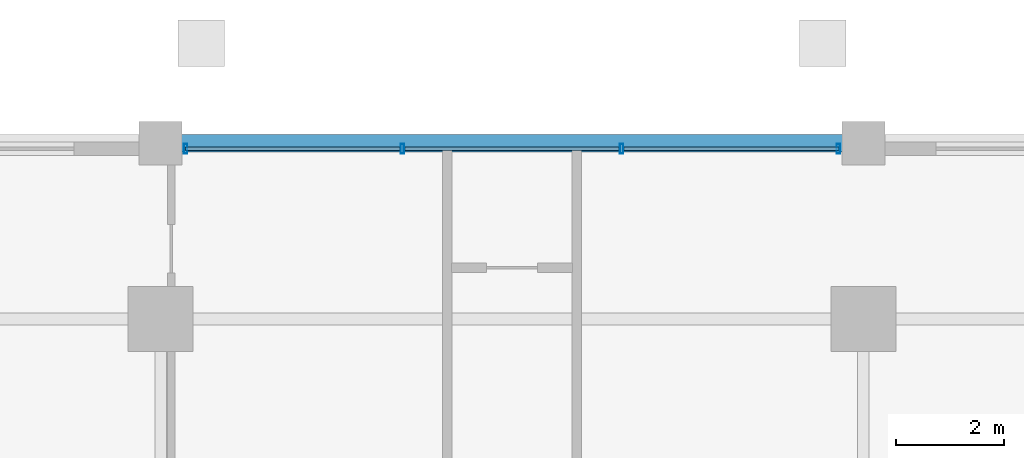
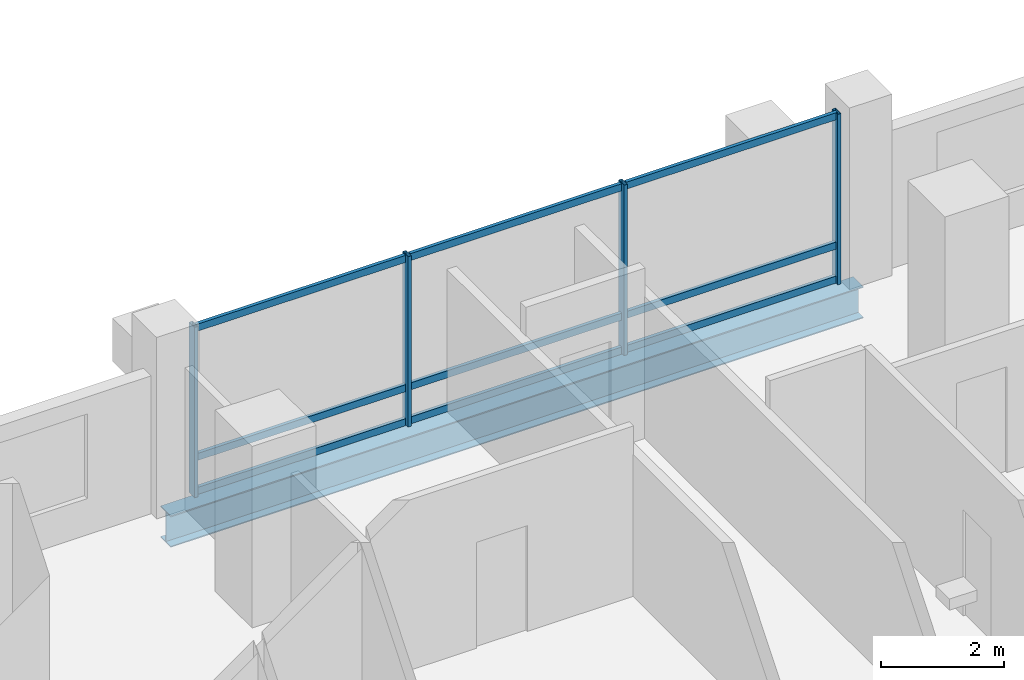
# One storey, part 10 of 20: 13 members, 1 beam, 1 element without a shape of its own.
"""IFC4 building model written with IfcOpenShell, lengths in metres."""

from ifc_helpers import new_model, si_unit, direction, frame, origin, origin_2d, place, context, subcontext, project, spatial, hollow_rectangle, i_section, extrude, material, layer, layer_set, material_profile, profile_set, type_object, element, aggregate, save


model = new_model("IFC4")

# Units and contexts
model_context = context("Model", 3, precision=1e-05, world=origin(), true_north=direction((0.0, 1.0)))
body_context = subcontext(model_context, "Body", "Model", "MODEL_VIEW")
ifc_project = project(units=[si_unit("LENGTHUNIT", "METRE"), si_unit("AREAUNIT", "SQUARE_METRE"), si_unit("VOLUMEUNIT", "CUBIC_METRE"), si_unit("PLANEANGLEUNIT", "RADIAN"), si_unit("MASSUNIT", "GRAM", prefix="KILO")], contexts=[model_context])

# Site, building, storey
site_placement = place(None, origin())
site = spatial("IfcSite", under=ifc_project, at=site_placement, CompositionType="ELEMENT")
building_placement = place(site_placement, origin())
building = spatial("IfcBuilding", under=site, at=building_placement, Name="Barlavira Tower and Art Museum", CompositionType="ELEMENT")
storey_placement = place(building_placement, frame((0.0, 0.0, 147.60009765625)))
storey = spatial("IfcBuildingStorey", under=building, at=storey_placement, Name="L37", CompositionType="ELEMENT", Elevation=147.60009765625)

# Curtain wall, members
ifc_material_1 = material(Name="Low-iron coastal laminated glass", Category="glass")
ifc_layer = layer(ifc_material_1, 0.18994140625, Name="Low-iron coastal laminated glass")
ifc_layer_set = layer_set([ifc_layer], Name="Low-iron coastal laminated glass")
curtain_wall_type = type_object("IfcCurtainWallType", Name="Pale-Metal Unitised Curtain Wall Zone 2", PredefinedType="NOTDEFINED", material=ifc_layer_set)
curtain_wall_placement = place(storey_placement, origin())
curtain_wall = element("IfcCurtainWall", 1, at=curtain_wall_placement, inside=storey, type_object=curtain_wall_type, Name="L37 Curtain Wall CW2-L37-N-B3", PredefinedType="NOTDEFINED")
ifc_material_2 = material(Name="Pale anodised aluminium", Category="aluminium")
ifc_material_profile_1 = material_profile(ifc_material_2, hollow_rectangle(XDim=0.06494140625, YDim=0.179931640625, WallThickness=0.00390625, at=origin_2d()), Name="ALU-MULL 65x180x4")
ifc_profile_set_1 = profile_set([ifc_material_profile_1], Name="Pale anodised aluminium")
member_type_1 = type_object("IfcMemberType", Name="Curtain Wall Pale-Metal Mullion 65x180", PredefinedType="MULLION", material=ifc_profile_set_1)
member_1_placement = place(storey_placement, frame((6.034912109375, 23.14990234375, 0.0), z_axis=(0.0, 0.0, 1.0), x_axis=(-1.0, 0.0, 0.0)))
member_1 = element("IfcMember", 2, at=member_1_placement, type_object=member_type_1, Name="CW2-L37-N-B3 Mullion 0", PredefinedType="MULLION", context=body_context, shape_type="SweptSolid", body=[
    extrude(hollow_rectangle(XDim=0.06494140625, YDim=0.179931640625, WallThickness=0.00390625, at=origin_2d()), origin(), (0.0, 0.0, 1.0), 3.3798828125),
])
member_2_placement = place(storey_placement, frame((2.026611328125, 23.14990234375, 0.0), z_axis=(0.0, 0.0, 1.0), x_axis=(-1.0, 0.0, 0.0)))
member_2 = element("IfcMember", 3, at=member_2_placement, type_object=member_type_1, Name="CW2-L37-N-B3 Mullion 1", PredefinedType="MULLION", context=body_context, shape_type="SweptSolid", body=[
    extrude(hollow_rectangle(XDim=0.06494140625, YDim=0.179931640625, WallThickness=0.00390625, at=origin_2d()), origin(), (0.0, 0.0, 1.0), 3.3798828125),
])
member_3_placement = place(storey_placement, frame((-2.026611328125, 23.14990234375, 0.0), z_axis=(0.0, 0.0, 1.0), x_axis=(-1.0, 0.0, 0.0)))
member_3 = element("IfcMember", 4, at=member_3_placement, type_object=member_type_1, Name="CW2-L37-N-B3 Mullion 2", PredefinedType="MULLION", context=body_context, shape_type="SweptSolid", body=[
    extrude(hollow_rectangle(XDim=0.06494140625, YDim=0.179931640625, WallThickness=0.00390625, at=origin_2d()), origin(), (0.0, 0.0, 1.0), 3.3798828125),
])
member_4_placement = place(storey_placement, frame((-6.034912109375, 23.14990234375, 0.0), z_axis=(0.0, 0.0, 1.0), x_axis=(-1.0, 0.0, 0.0)))
member_4 = element("IfcMember", 5, at=member_4_placement, type_object=member_type_1, Name="CW2-L37-N-B3 Mullion 3", PredefinedType="MULLION", context=body_context, shape_type="SweptSolid", body=[
    extrude(hollow_rectangle(XDim=0.06494140625, YDim=0.179931640625, WallThickness=0.00390625, at=origin_2d()), origin(), (0.0, 0.0, 1.0), 3.3798828125),
])
ifc_material_profile_2 = material_profile(ifc_material_2, hollow_rectangle(XDim=0.06494140625, YDim=0.139892578125, WallThickness=0.00390625, at=origin_2d()), Name="ALU-TRAN 65x140x4")
ifc_profile_set_2 = profile_set([ifc_material_profile_2], Name="Pale anodised aluminium")
member_type_2 = type_object("IfcMemberType", Name="Curtain Wall Pale-Metal Transom 65x140", PredefinedType="USERDEFINED", material=ifc_profile_set_2)
member_5_placement = place(storey_placement, frame((6.034912109375, 23.14990234375, 0.06982421875), z_axis=(-1.0, 0.0, 0.0), x_axis=(0.0, -1.0, 0.0)))
member_5 = element("IfcMember", 6, at=member_5_placement, type_object=member_type_2, Name="CW2-L37-N-B3 Transom 0.1", ObjectType="TRANSOM", PredefinedType="USERDEFINED", context=body_context, shape_type="SweptSolid", body=[
    extrude(hollow_rectangle(XDim=0.06494140625, YDim=0.139892578125, WallThickness=0.00390625, at=origin_2d()), origin(), (0.0, 0.0, 1.0), 3.963134765625),
])
member_6_placement = place(storey_placement, frame((6.034912109375, 23.14990234375, 0.743896484375), z_axis=(-1.0, 0.0, 0.0), x_axis=(0.0, -1.0, 0.0)))
member_6 = element("IfcMember", 7, at=member_6_placement, type_object=member_type_2, Name="CW2-L37-N-B3 Transom 0.2", ObjectType="TRANSOM", PredefinedType="USERDEFINED", context=body_context, shape_type="SweptSolid", body=[
    extrude(hollow_rectangle(XDim=0.06494140625, YDim=0.139892578125, WallThickness=0.00390625, at=origin_2d()), origin(), (0.0, 0.0, 1.0), 3.963134765625),
])
member_7_placement = place(storey_placement, frame((6.034912109375, 23.14990234375, 3.309814453125), z_axis=(-1.0, 0.0, 0.0), x_axis=(0.0, -1.0, 0.0)))
member_7 = element("IfcMember", 8, at=member_7_placement, type_object=member_type_2, Name="CW2-L37-N-B3 Transom 0.3", ObjectType="TRANSOM", PredefinedType="USERDEFINED", context=body_context, shape_type="SweptSolid", body=[
    extrude(hollow_rectangle(XDim=0.06494140625, YDim=0.139892578125, WallThickness=0.00390625, at=origin_2d()), origin(), (0.0, 0.0, 1.0), 3.963134765625),
])
member_8_placement = place(storey_placement, frame((1.981689453125, 23.14990234375, 0.06982421875), z_axis=(-1.0, 0.0, 0.0), x_axis=(0.0, -1.0, 0.0)))
member_8 = element("IfcMember", 9, at=member_8_placement, type_object=member_type_2, Name="CW2-L37-N-B3 Transom 1.1", ObjectType="TRANSOM", PredefinedType="USERDEFINED", context=body_context, shape_type="SweptSolid", body=[
    extrude(hollow_rectangle(XDim=0.06494140625, YDim=0.139892578125, WallThickness=0.00390625, at=origin_2d()), origin(), (0.0, 0.0, 1.0), 3.96337890625),
])
member_9_placement = place(storey_placement, frame((1.981689453125, 23.14990234375, 0.743896484375), z_axis=(-1.0, 0.0, 0.0), x_axis=(0.0, -1.0, 0.0)))
member_9 = element("IfcMember", 10, at=member_9_placement, type_object=member_type_2, Name="CW2-L37-N-B3 Transom 1.2", ObjectType="TRANSOM", PredefinedType="USERDEFINED", context=body_context, shape_type="SweptSolid", body=[
    extrude(hollow_rectangle(XDim=0.06494140625, YDim=0.139892578125, WallThickness=0.00390625, at=origin_2d()), origin(), (0.0, 0.0, 1.0), 3.96337890625),
])
member_10_placement = place(storey_placement, frame((1.981689453125, 23.14990234375, 3.309814453125), z_axis=(-1.0, 0.0, 0.0), x_axis=(0.0, -1.0, 0.0)))
member_10 = element("IfcMember", 11, at=member_10_placement, type_object=member_type_2, Name="CW2-L37-N-B3 Transom 1.3", ObjectType="TRANSOM", PredefinedType="USERDEFINED", context=body_context, shape_type="SweptSolid", body=[
    extrude(hollow_rectangle(XDim=0.06494140625, YDim=0.139892578125, WallThickness=0.00390625, at=origin_2d()), origin(), (0.0, 0.0, 1.0), 3.96337890625),
])
member_11_placement = place(storey_placement, frame((-2.07177734375, 23.14990234375, 0.06982421875), z_axis=(-1.0, 0.0, 0.0), x_axis=(0.0, -1.0, 0.0)))
member_11 = element("IfcMember", 12, at=member_11_placement, type_object=member_type_2, Name="CW2-L37-N-B3 Transom 2.1", ObjectType="TRANSOM", PredefinedType="USERDEFINED", context=body_context, shape_type="SweptSolid", body=[
    extrude(hollow_rectangle(XDim=0.06494140625, YDim=0.139892578125, WallThickness=0.00390625, at=origin_2d()), origin(), (0.0, 0.0, 1.0), 3.963134765625),
])
member_12_placement = place(storey_placement, frame((-2.07177734375, 23.14990234375, 0.743896484375), z_axis=(-1.0, 0.0, 0.0), x_axis=(0.0, -1.0, 0.0)))
member_12 = element("IfcMember", 13, at=member_12_placement, type_object=member_type_2, Name="CW2-L37-N-B3 Transom 2.2", ObjectType="TRANSOM", PredefinedType="USERDEFINED", context=body_context, shape_type="SweptSolid", body=[
    extrude(hollow_rectangle(XDim=0.06494140625, YDim=0.139892578125, WallThickness=0.00390625, at=origin_2d()), origin(), (0.0, 0.0, 1.0), 3.963134765625),
])
member_13_placement = place(storey_placement, frame((-2.07177734375, 23.14990234375, 3.309814453125), z_axis=(-1.0, 0.0, 0.0), x_axis=(0.0, -1.0, 0.0)))
member_13 = element("IfcMember", 14, at=member_13_placement, type_object=member_type_2, Name="CW2-L37-N-B3 Transom 2.3", ObjectType="TRANSOM", PredefinedType="USERDEFINED", context=body_context, shape_type="SweptSolid", body=[
    extrude(hollow_rectangle(XDim=0.06494140625, YDim=0.139892578125, WallThickness=0.00390625, at=origin_2d()), origin(), (0.0, 0.0, 1.0), 3.963134765625),
])
aggregate(curtain_wall, [member_1, member_2, member_3, member_4, member_5, member_6, member_7, member_8, member_9, member_10, member_11, member_12, member_13])

# Beam
ifc_material_3 = material(Name="Steel S355", Category="steel")
ifc_material_profile_3 = material_profile(ifc_material_3, i_section(OverallWidth=0.327880859375, OverallDepth=0.62890625, WebThickness=0.013916015625, FlangeThickness=0.021484375, at=origin_2d()), Name="W610x174.0")
ifc_profile_set_3 = profile_set([ifc_material_profile_3], Name="Steel S355")
beam_type = type_object("IfcBeamType", Name="Perimeter Spandrel Edge Beam W610x174 Steel S355", PredefinedType="SPANDREL", material=ifc_profile_set_3)
beam_placement = place(storey_placement, frame((-6.5, 23.25, -0.53466796875), z_axis=(1.0, 0.0, 0.0), x_axis=(0.0, 1.0, 0.0)))
element("IfcBeam", 15, at=beam_placement, inside=storey, type_object=beam_type, Name="L37 Spandrel 10", PredefinedType="SPANDREL", context=body_context, shape_type="SweptSolid", body=[
    extrude(i_section(OverallWidth=0.327880859375, OverallDepth=0.62890625, WebThickness=0.013916015625, FlangeThickness=0.021484375, at=origin_2d()), origin(), (0.0, 0.0, 1.0), 13.0),
])

save(model, "model.ifc")
